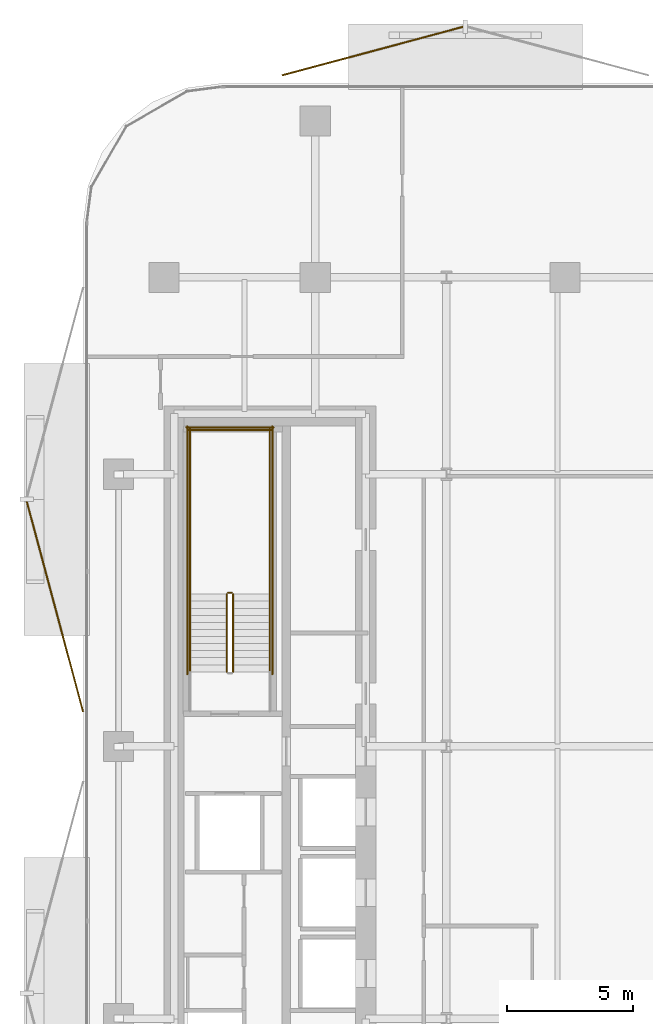
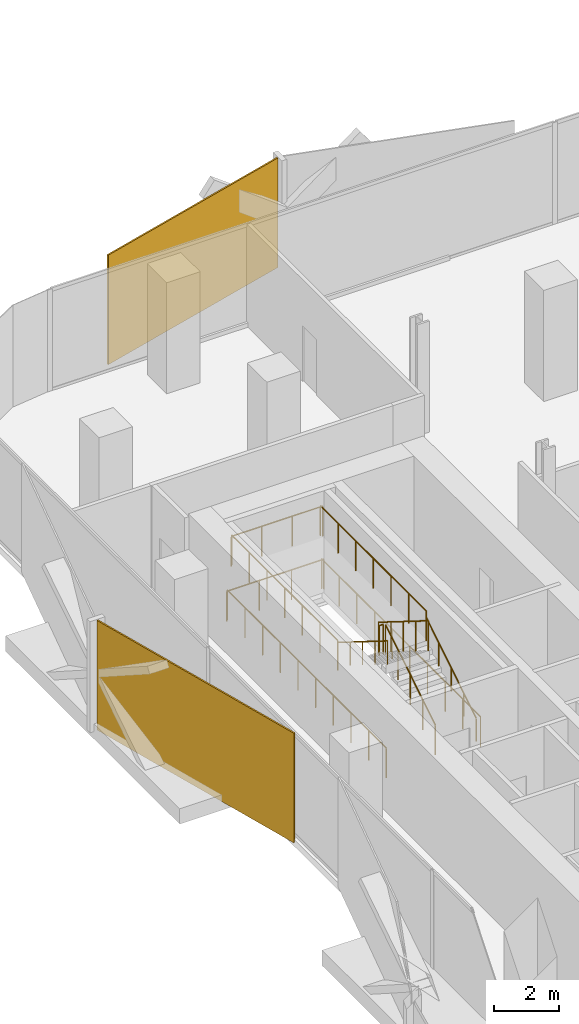
# One storey, part 14 of 15: 11 railings, 2 coverings.
"""IFC4 building model written with IfcOpenShell, lengths in metres."""

from ifc_helpers import new_model, si_unit, direction, frame, origin, origin_2d, place, context, subcontext, project, spatial, rectangle, circle, extrude, material, layer, layer_set, type_object, element, save


model = new_model("IFC4")

# Units and contexts
model_context = context("Model", 3, precision=1e-05, world=origin(), true_north=direction((0.0, 1.0)))
body_context = subcontext(model_context, "Body", "Model", "MODEL_VIEW")
ifc_project = project(units=[si_unit("LENGTHUNIT", "METRE"), si_unit("AREAUNIT", "SQUARE_METRE"), si_unit("VOLUMEUNIT", "CUBIC_METRE"), si_unit("PLANEANGLEUNIT", "RADIAN"), si_unit("MASSUNIT", "GRAM", prefix="KILO")], contexts=[model_context])

# Site, building, storey
site_placement = place(None, origin())
site = spatial("IfcSite", under=ifc_project, at=site_placement, CompositionType="ELEMENT")
building_placement = place(site_placement, origin())
building = spatial("IfcBuilding", under=site, at=building_placement, Name="Khairoan Windgate Tower", CompositionType="ELEMENT")
storey_placement = place(building_placement, frame((0.0, 0.0, 147.800048828125)))
storey = spatial("IfcBuildingStorey", under=building, at=storey_placement, Name="L34", CompositionType="ELEMENT", Elevation=147.800048828125)

# Coverings
ifc_material_1 = material(Name="Anodised Bronze Aluminium 6063-T6", Category="aluminium")
ifc_layer = layer(ifc_material_1, 0.054931640625, Name="Anodised Bronze Aluminium 6063-T6")
ifc_layer_set = layer_set([ifc_layer], Name="Anodised Bronze Aluminium 6063-T6")
covering_type = type_object("IfcCoveringType", Name="Perforated Bronze-Ceramic Folded Solar Screen Cladding BSC-1", PredefinedType="CLADDING", material=ifc_layer_set)
covering_1_placement = place(storey_placement, frame((-24.724609375, 5.542236328125, -0.10009765625), z_axis=(0.0, 0.0, 1.0), x_axis=(-0.258819045103, 0.965925826289, 0.0)))
element("IfcCovering", 1, at=covering_1_placement, inside=storey, type_object=covering_type, Name="L34 Folded Bronze Solar Screen Facet 220L", PredefinedType="CLADDING", context=body_context, shape_type="SweptSolid", body=[
    extrude(rectangle(XDim=8.6201171875, YDim=0.054931640625, at=origin_2d()), origin(), (0.0, 0.0, 1.0), 4.139892578125),
])
covering_2_placement = place(storey_placement, frame((-12.124755859375, 27.578125, -0.10009765625), z_axis=(0.0, 0.0, 1.0), x_axis=(0.965925826289, 0.258819045103, 0.0)))
element("IfcCovering", 2, at=covering_2_placement, inside=storey, type_object=covering_type, Name="L34 Folded Bronze Solar Screen Facet 221L", PredefinedType="CLADDING", context=body_context, shape_type="SweptSolid", body=[
    extrude(rectangle(XDim=7.431884765625, YDim=0.054931640625, at=origin_2d()), origin(), (0.0, 0.0, 1.0), 4.139892578125),
])

# Railings
ifc_material_2 = material(Name="Anodised Bronze Aluminium 6063-T6", Category="aluminium")
railing_type_1 = type_object("IfcRailingType", Name="Stair Wall Handrail SHR-900", PredefinedType="HANDRAIL", material=ifc_material_2)
railing_1_placement = place(storey_placement, frame((-16.199951171875, 2.9599609375, 0.175048828125)))
element("IfcRailing", 3, at=railing_1_placement, inside=storey, type_object=railing_type_1, Name="L34 ST2 stair handrail 1", PredefinedType="HANDRAIL", context=body_context, shape_type="SweptSolid", body=[
    extrude(circle(Radius=0.02392578125, at=origin_2d()), frame((0.0, 0.0, 0.8759765625), z_axis=(0.0, 0.848028513186, 0.529950602248), x_axis=(-1.0, 0.0, 0.0)), (0.0, 0.0, 1.0), 3.632080078125),
    extrude(circle(Radius=0.02099609375, at=origin_2d()), origin(), (0.0, 0.0, 1.0), 0.851806640625),
    extrude(circle(Radius=0.02099609375, at=origin_2d()), frame((0.0, 0.77001953125, 0.481201171875)), (0.0, 0.0, 1.0), 0.851806640625),
    extrude(circle(Radius=0.02099609375, at=origin_2d()), frame((0.0, 1.5400390625, 0.96240234375)), (0.0, 0.0, 1.0), 0.851806640625),
    extrude(circle(Radius=0.02099609375, at=origin_2d()), frame((0.0, 2.31005859375, 1.443603515625)), (0.0, 0.0, 1.0), 0.851806640625),
    extrude(circle(Radius=0.02099609375, at=origin_2d()), frame((0.0, 3.080078125, 1.9248046875)), (0.0, 0.0, 1.0), 0.851806640625),
])
railing_2_placement = place(storey_placement, frame((-19.3701171875, 6.0400390625, 2.27490234375)))
element("IfcRailing", 4, at=railing_2_placement, inside=storey, type_object=railing_type_1, Name="L34 ST2 stair handrail 2", PredefinedType="HANDRAIL", context=body_context, shape_type="SweptSolid", body=[
    extrude(circle(Radius=0.02392578125, at=origin_2d()), frame((0.0, 0.0, 0.8759765625), z_axis=(0.0, -0.847998304005, 0.529998940003), x_axis=(1.0, 0.0, 0.0)), (0.0, 0.0, 1.0), 3.632080078125),
    extrude(circle(Radius=0.02099609375, at=origin_2d()), origin(), (0.0, 0.0, 1.0), 0.851806640625),
    extrude(circle(Radius=0.02099609375, at=origin_2d()), frame((0.0, -0.77001953125, 0.481201171875)), (0.0, 0.0, 1.0), 0.851806640625),
    extrude(circle(Radius=0.02099609375, at=origin_2d()), frame((0.0, -1.5400390625, 0.96240234375)), (0.0, 0.0, 1.0), 0.851806640625),
    extrude(circle(Radius=0.02099609375, at=origin_2d()), frame((0.0, -2.31005859375, 1.44384765625)), (0.0, 0.0, 1.0), 0.851806640625),
    extrude(circle(Radius=0.02099609375, at=origin_2d()), frame((0.0, -3.080078125, 1.925048828125)), (0.0, 0.0, 1.0), 0.851806640625),
])
ifc_material_3 = material(Name="Steel S355", Category="steel")
railing_type_2 = type_object("IfcRailingType", Name="Stairwell Safety Guardrail SGR-1150", PredefinedType="GUARDRAIL", material=ifc_material_3)
railing_3_placement = place(storey_placement, frame((-17.659912109375, 2.9599609375, 0.175048828125)))
element("IfcRailing", 5, at=railing_3_placement, inside=storey, type_object=railing_type_2, Name="L34 ST2 stair guard 1", PredefinedType="GUARDRAIL", context=body_context, shape_type="SweptSolid", body=[
    extrude(circle(Radius=0.02392578125, at=origin_2d()), frame((0.0, 0.0, 1.1259765625), z_axis=(0.0, 0.848028513186, 0.529950602248), x_axis=(-1.0, 0.0, 0.0)), (0.0, 0.0, 1.0), 3.632080078125),
    extrude(circle(Radius=0.02099609375, at=origin_2d()), origin(), (0.0, 0.0, 1.0), 1.101806640625),
    extrude(circle(Radius=0.02099609375, at=origin_2d()), frame((0.0, 0.77001953125, 0.481201171875)), (0.0, 0.0, 1.0), 1.101806640625),
    extrude(circle(Radius=0.02099609375, at=origin_2d()), frame((0.0, 1.5400390625, 0.96240234375)), (0.0, 0.0, 1.0), 1.101806640625),
    extrude(circle(Radius=0.02099609375, at=origin_2d()), frame((0.0, 2.31005859375, 1.443603515625)), (0.0, 0.0, 1.0), 1.101806640625),
    extrude(circle(Radius=0.02099609375, at=origin_2d()), frame((0.0, 3.080078125, 1.9248046875)), (0.0, 0.0, 1.0), 1.101806640625),
])
railing_4_placement = place(storey_placement, frame((-17.7099609375, 6.090087890625, 2.099853515625)))
element("IfcRailing", 6, at=railing_4_placement, inside=storey, type_object=railing_type_2, Name="L34 ST2 stair guard 2", PredefinedType="GUARDRAIL", context=body_context, shape_type="SweptSolid", body=[
    extrude(circle(Radius=0.02392578125, at=origin_2d()), frame((0.0, 0.0, 1.1259765625), z_axis=(-1.0, 0.0, 0.0), x_axis=(0.0, -1.0, 0.0)), (0.0, 0.0, 1.0), 0.150146484375),
    extrude(circle(Radius=0.02099609375, at=origin_2d()), origin(), (0.0, 0.0, 1.0), 1.101806640625),
    extrude(circle(Radius=0.02099609375, at=origin_2d()), frame((-0.150146484375, 0.0, 0.0)), (0.0, 0.0, 1.0), 1.101806640625),
])
for number, where, name in (
    (7, (-16.199951171875, 6.0400390625, 2.099853515625), "L34 ST2 stair guard 3"),
    (8, (-19.3701171875, 6.0400390625, 2.099853515625), "L34 ST2 stair guard 4"),
):
    element("IfcRailing", number, at=place(storey_placement, frame(where)), inside=storey, type_object=railing_type_2, Name=name, PredefinedType="GUARDRAIL", context=body_context, shape_type="SweptSolid", body=[
        extrude(circle(Radius=0.02392578125, at=origin_2d()), frame((0.0, 0.0, 1.1259765625), z_axis=(0.0, 1.0, 0.0), x_axis=(-1.0, 0.0, 0.0)), (0.0, 0.0, 1.0), 6.56005859375),
        extrude(circle(Radius=0.02099609375, at=origin_2d()), origin(), (0.0, 0.0, 1.0), 1.101806640625),
        extrude(circle(Radius=0.02099609375, at=origin_2d()), frame((0.0, 1.09326171875, 0.0)), (0.0, 0.0, 1.0), 1.101806640625),
        extrude(circle(Radius=0.02099609375, at=origin_2d()), frame((0.0, 2.186767578125, 0.0)), (0.0, 0.0, 1.0), 1.101806640625),
        extrude(circle(Radius=0.02099609375, at=origin_2d()), frame((0.0, 3.280029296875, 0.0)), (0.0, 0.0, 1.0), 1.101806640625),
        extrude(circle(Radius=0.02099609375, at=origin_2d()), frame((0.0, 4.373291015625, 0.0)), (0.0, 0.0, 1.0), 1.101806640625),
        extrude(circle(Radius=0.02099609375, at=origin_2d()), frame((0.0, 5.466796875, 0.0)), (0.0, 0.0, 1.0), 1.101806640625),
        extrude(circle(Radius=0.02099609375, at=origin_2d()), frame((0.0, 6.56005859375, 0.0)), (0.0, 0.0, 1.0), 1.101806640625),
    ])
railing_5_placement = place(storey_placement, frame((-16.14990234375, 12.550048828125, 2.099853515625)))
element("IfcRailing", 9, at=railing_5_placement, inside=storey, type_object=railing_type_2, Name="L34 ST2 stair guard 5", PredefinedType="GUARDRAIL", context=body_context, shape_type="SweptSolid", body=[
    extrude(circle(Radius=0.02392578125, at=origin_2d()), frame((0.0, 0.0, 1.1259765625), z_axis=(-1.0, 0.0, 0.0), x_axis=(0.0, -1.0, 0.0)), (0.0, 0.0, 1.0), 3.27001953125),
    extrude(circle(Radius=0.02099609375, at=origin_2d()), origin(), (0.0, 0.0, 1.0), 1.101806640625),
    extrude(circle(Radius=0.02099609375, at=origin_2d()), frame((-1.090087890625, 0.0, 0.0)), (0.0, 0.0, 1.0), 1.101806640625),
    extrude(circle(Radius=0.02099609375, at=origin_2d()), frame((-2.179931640625, 0.0, 0.0)), (0.0, 0.0, 1.0), 1.101806640625),
    extrude(circle(Radius=0.02099609375, at=origin_2d()), frame((-3.27001953125, 0.0, 0.0)), (0.0, 0.0, 1.0), 1.101806640625),
])
railing_6_placement = place(storey_placement, frame((-17.909912109375, 6.0400390625, 2.27490234375)))
element("IfcRailing", 10, at=railing_6_placement, inside=storey, type_object=railing_type_2, Name="L34 ST2 stair guard 6", PredefinedType="GUARDRAIL", context=body_context, shape_type="SweptSolid", body=[
    extrude(circle(Radius=0.02392578125, at=origin_2d()), frame((0.0, 0.0, 1.1259765625), z_axis=(0.0, -0.847998304005, 0.529998940003), x_axis=(1.0, 0.0, 0.0)), (0.0, 0.0, 1.0), 3.632080078125),
    extrude(circle(Radius=0.02099609375, at=origin_2d()), origin(), (0.0, 0.0, 1.0), 1.101806640625),
    extrude(circle(Radius=0.02099609375, at=origin_2d()), frame((0.0, -0.77001953125, 0.481201171875)), (0.0, 0.0, 1.0), 1.101806640625),
    extrude(circle(Radius=0.02099609375, at=origin_2d()), frame((0.0, -1.5400390625, 0.96240234375)), (0.0, 0.0, 1.0), 1.101806640625),
    extrude(circle(Radius=0.02099609375, at=origin_2d()), frame((0.0, -2.31005859375, 1.44384765625)), (0.0, 0.0, 1.0), 1.101806640625),
    extrude(circle(Radius=0.02099609375, at=origin_2d()), frame((0.0, -3.080078125, 1.925048828125)), (0.0, 0.0, 1.0), 1.101806640625),
])
for number, where, name in (
    (11, (-16.10009765625, 2.860107421875, 0.0), "L34 ST2 stair guard 10"),
    (12, (-19.469970703125, 2.860107421875, 0.0), "L34 ST2 stair guard 11"),
):
    element("IfcRailing", number, at=place(storey_placement, frame(where)), inside=storey, type_object=railing_type_2, Name=name, PredefinedType="GUARDRAIL", context=body_context, shape_type="SweptSolid", body=[
        extrude(circle(Radius=0.02392578125, at=origin_2d()), frame((0.0, 0.0, 1.1259765625), z_axis=(0.0, 1.0, 0.0), x_axis=(-1.0, 0.0, 0.0)), (0.0, 0.0, 1.0), 9.83984375),
        extrude(circle(Radius=0.02099609375, at=origin_2d()), origin(), (0.0, 0.0, 1.0), 1.101806640625),
        extrude(circle(Radius=0.02099609375, at=origin_2d()), frame((0.0, 1.09326171875, 0.0)), (0.0, 0.0, 1.0), 1.101806640625),
        extrude(circle(Radius=0.02099609375, at=origin_2d()), frame((0.0, 2.1865234375, 0.0)), (0.0, 0.0, 1.0), 1.101806640625),
        extrude(circle(Radius=0.02099609375, at=origin_2d()), frame((0.0, 3.280029296875, 0.0)), (0.0, 0.0, 1.0), 1.101806640625),
        extrude(circle(Radius=0.02099609375, at=origin_2d()), frame((0.0, 4.373291015625, 0.0)), (0.0, 0.0, 1.0), 1.101806640625),
        extrude(circle(Radius=0.02099609375, at=origin_2d()), frame((0.0, 5.466552734375, 0.0)), (0.0, 0.0, 1.0), 1.101806640625),
        extrude(circle(Radius=0.02099609375, at=origin_2d()), frame((0.0, 6.559814453125, 0.0)), (0.0, 0.0, 1.0), 1.101806640625),
        extrude(circle(Radius=0.02099609375, at=origin_2d()), frame((0.0, 7.6533203125, 0.0)), (0.0, 0.0, 1.0), 1.101806640625),
        extrude(circle(Radius=0.02099609375, at=origin_2d()), frame((0.0, 8.74658203125, 0.0)), (0.0, 0.0, 1.0), 1.101806640625),
        extrude(circle(Radius=0.02099609375, at=origin_2d()), frame((0.0, 9.83984375, 0.0)), (0.0, 0.0, 1.0), 1.101806640625),
    ])
railing_7_placement = place(storey_placement, frame((-16.050048828125, 12.64990234375, 0.0)))
element("IfcRailing", 13, at=railing_7_placement, inside=storey, type_object=railing_type_2, Name="L34 ST2 stair guard 12", PredefinedType="GUARDRAIL", context=body_context, shape_type="SweptSolid", body=[
    extrude(circle(Radius=0.02392578125, at=origin_2d()), frame((0.0, 0.0, 1.1259765625), z_axis=(-1.0, 0.0, 0.0), x_axis=(0.0, -1.0, 0.0)), (0.0, 0.0, 1.0), 3.469970703125),
    extrude(circle(Radius=0.02099609375, at=origin_2d()), origin(), (0.0, 0.0, 1.0), 1.101806640625),
    extrude(circle(Radius=0.02099609375, at=origin_2d()), frame((-1.15673828125, 0.0, 0.0)), (0.0, 0.0, 1.0), 1.101806640625),
    extrude(circle(Radius=0.02099609375, at=origin_2d()), frame((-2.313232421875, 0.0, 0.0)), (0.0, 0.0, 1.0), 1.101806640625),
    extrude(circle(Radius=0.02099609375, at=origin_2d()), frame((-3.469970703125, 0.0, 0.0)), (0.0, 0.0, 1.0), 1.101806640625),
])

save(model, "model.ifc")
